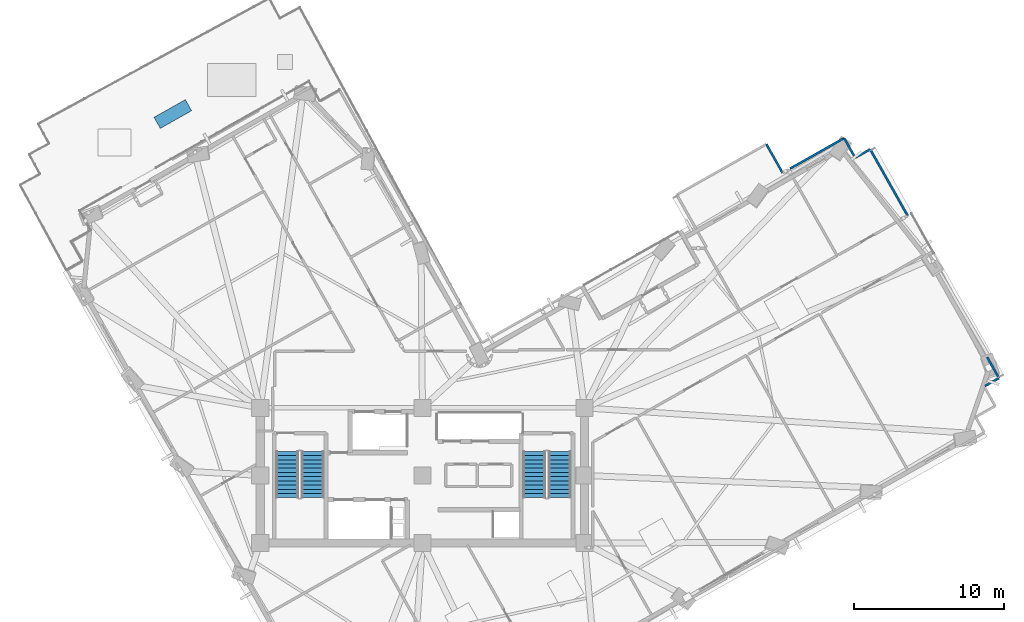
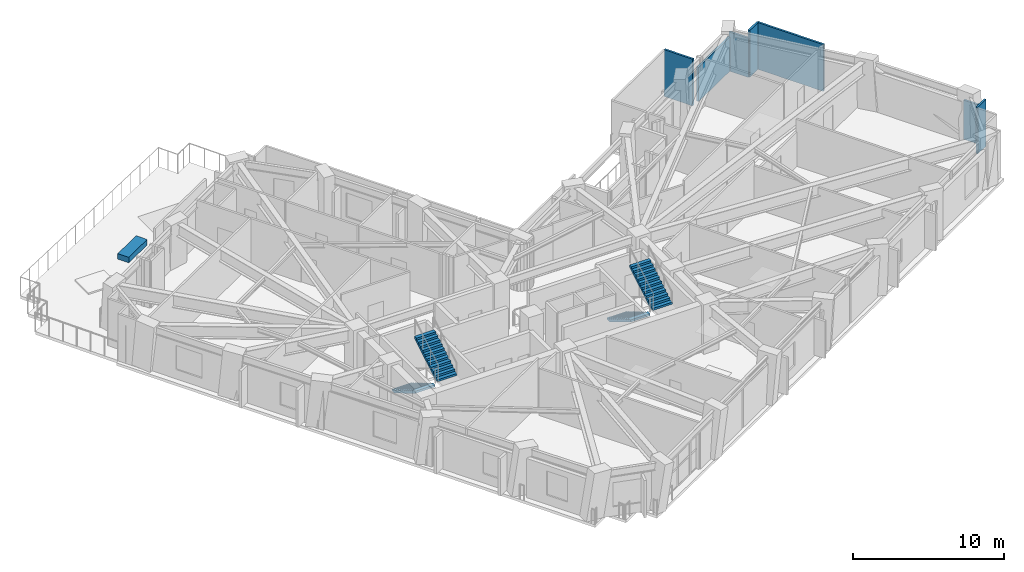
# One storey, part 14 of 18: 7 walls, 4 stair flights, 1 discrete accessory, 2 elements without a shape of their own.
"""IFC4 building model written with IfcOpenShell, lengths in metres."""

from ifc_helpers import new_model, si_unit, direction, frame, frame_2d, origin, origin_2d, place, context, subcontext, project, spatial, polyline, rectangle, outline, extrude, material, layer, layer_set, type_object, element, aggregate, save


model = new_model("IFC4")

# Units and contexts
model_context = context("Model", 3, precision=1e-05, world=origin(), true_north=direction((0.0, 1.0)))
body_context = subcontext(model_context, "Body", "Model", "MODEL_VIEW")
ifc_project = project(units=[si_unit("LENGTHUNIT", "METRE"), si_unit("AREAUNIT", "SQUARE_METRE"), si_unit("VOLUMEUNIT", "CUBIC_METRE"), si_unit("PLANEANGLEUNIT", "RADIAN"), si_unit("MASSUNIT", "GRAM", prefix="KILO")], contexts=[model_context])

# Site, building, storey
site_placement = place(None, origin())
site = spatial("IfcSite", under=ifc_project, at=site_placement, CompositionType="ELEMENT")
building_placement = place(site_placement, origin())
building = spatial("IfcBuilding", under=site, at=building_placement, Name="Gaonmaruhae Medical Tower", CompositionType="ELEMENT")
storey_placement = place(building_placement, frame((0.0, 0.0, 149.800048828125)))
storey = spatial("IfcBuildingStorey", under=building, at=storey_placement, Name="L35", CompositionType="ELEMENT", Elevation=149.800048828125)

# Walls
ifc_material_1 = material(Name="Gypsum board partition", Category="gypsum")
ifc_layer = layer(ifc_material_1, 0.14990234375)
ifc_layer_set = layer_set([ifc_layer], Name="Gypsum board partition")
wall_type = type_object("IfcWallType", Name="PW-150 Rated Clinical Corridor Partition", PredefinedType="PARTITIONING", material=ifc_layer_set)
wall_1_placement = place(storey_placement, frame((62.4140625, 20.180908203125, 0.0), z_axis=(0.0, 0.0, 1.0), x_axis=(0.491627733162, -0.870805473103, 0.0)))
element("IfcWall", 1, at=wall_1_placement, inside=storey, type_object=wall_type, Name="L35 Interior Partition L35-SUP07-31", PredefinedType="PARTITIONING", context=body_context, shape_type="SweptSolid", body=[
    extrude(rectangle(XDim=1.61083984375, YDim=0.14990234375, at=frame_2d((0.805419921875, 0.0))), origin(), (0.0, 0.0, 1.0), 3.1650390625),
])
wall_2_placement = place(storey_placement, frame((63.2060546875, 18.778076171875, 0.0), z_axis=(0.0, 0.0, 1.0), x_axis=(-0.871075980592, -0.491148283144, 0.0)))
element("IfcWall", 2, at=wall_2_placement, inside=storey, type_object=wall_type, Name="L35 Interior Partition L35-SUP07-32", PredefinedType="PARTITIONING", context=body_context, shape_type="SweptSolid", body=[
    extrude(rectangle(XDim=1.0712890625, YDim=0.14990234375, at=frame_2d((0.53564453125, 0.0))), origin(), (0.0, 0.0, 1.0), 3.780029296875),
])
wall_3_placement = place(storey_placement, frame((47.7099609375, 34.3740234375, 0.0), z_axis=(0.0, 0.0, 1.0), x_axis=(0.491588936477, -0.870827375278, 0.0)))
element("IfcWall", 3, at=wall_3_placement, inside=storey, type_object=wall_type, Name="L35 Interior Partition L35-IE03-89", PredefinedType="PARTITIONING", context=body_context, shape_type="SweptSolid", body=[
    extrude(rectangle(XDim=2.19921875, YDim=0.14990234375, at=frame_2d((1.099609375, 0.0))), origin(), (0.0, 0.0, 1.0), 3.780029296875),
])
wall_4_placement = place(storey_placement, frame((53.626953125, 33.466064453125, 0.0), z_axis=(0.0, 0.0, 1.0), x_axis=(0.870682401121, 0.49184566317, 0.0)))
element("IfcWall", 4, at=wall_4_placement, inside=storey, type_object=wall_type, Name="L35 Interior Partition L35-IE04-90", PredefinedType="PARTITIONING", context=body_context, shape_type="SweptSolid", body=[
    extrude(rectangle(XDim=1.140625, YDim=0.14990234375, at=frame_2d((0.5703125, 0.0))), origin(), (0.0, 0.0, 1.0), 3.780029296875),
])
wall_5_placement = place(storey_placement, frame((54.6201171875, 34.027099609375, 0.0), z_axis=(0.0, 0.0, 1.0), x_axis=(0.491586153955, -0.870828946028, 0.0)))
element("IfcWall", 5, at=wall_5_placement, inside=storey, type_object=wall_type, Name="L35 Interior Partition L35-IE04-91", PredefinedType="PARTITIONING", context=body_context, shape_type="SweptSolid", body=[
    extrude(rectangle(XDim=5.089599609375, YDim=0.14990234375, at=frame_2d((2.544921875, 0.0))), origin(), (0.0, 0.0, 1.0), 3.780029296875),
])
wall_6_placement = place(storey_placement, frame((49.283935546875, 32.737060546875, 0.0), z_axis=(0.0, 0.0, 1.0), x_axis=(0.870840597135, 0.491565513824, 0.0)))
element("IfcWall", 6, at=wall_6_placement, inside=storey, type_object=wall_type, Name="L35 Interior Partition L35-IE04-94", PredefinedType="PARTITIONING", context=body_context, shape_type="SweptSolid", body=[
    extrude(rectangle(XDim=4.1396484375, YDim=0.14990234375, at=frame_2d((2.06982421875, 0.0))), origin(), (0.0, 0.0, 1.0), 2.764892578125),
])
wall_7_placement = place(storey_placement, frame((52.888916015625, 34.77197265625, 0.0), z_axis=(0.0, 0.0, 1.0), x_axis=(0.492014351651, -0.870587087987, 0.0)))
element("IfcWall", 7, at=wall_7_placement, inside=storey, type_object=wall_type, Name="L35 Interior Partition L35-IE04-95", PredefinedType="PARTITIONING", context=body_context, shape_type="SweptSolid", body=[
    extrude(rectangle(XDim=1.5, YDim=0.14990234375, at=frame_2d((0.75, 0.0))), origin(), (0.0, 0.0, 1.0), 3.1650390625),
])

# Stair, stair flights
ifc_material_2 = material(Name="Concrete C40/50", Category="concrete")
stair_type = type_object("IfcStairType", Name="ST-T1 Primary Core Escape Dogleg Stair", PredefinedType="TWO_QUARTER_TURN_STAIR", material=ifc_material_2)
stair_1_placement = place(storey_placement, origin())
stair_1 = element("IfcStair", 8, at=stair_1_placement, inside=storey, type_object=stair_type, Name="L35 Protected Escape Stair ST-01", PredefinedType="TWO_QUARTER_TURN_STAIR")
stair_flight_type = type_object("IfcStairFlightType", Name="SF-T1 Primary Core Precast Stair Flight", PredefinedType="STRAIGHT", material=ifc_material_2)
stair_flight_1_placement = place(storey_placement, frame((15.800048828125, 13.89990234375, 0.0), z_axis=(0.0, 0.0, 1.0), x_axis=(0.0, -1.0, 0.0)))
stair_flight_1 = element("IfcStairFlight", 9, at=stair_flight_1_placement, type_object=stair_flight_type, Name="ST-01 flight 1", NumberOfRisers=12, NumberOfTreads=11, PredefinedType="STRAIGHT", RiserHeight=0.166666667, TreadLength=0.28, context=body_context, shape_type="SweptSolid", body=[
    extrude(outline(polyline([(0.0, 0.0), (0.0, 0.166748046875), (0.280029296875, 0.166748046875), (0.280029296875, 0.333251953125), (0.56005859375, 0.333251953125), (0.56005859375, 0.5), (0.840087890625, 0.5), (0.840087890625, 0.666748046875), (1.1201171875, 0.666748046875), (1.1201171875, 0.833251953125), (1.39990234375, 0.833251953125), (1.39990234375, 1.0), (1.679931640625, 1.0), (1.679931640625, 1.166748046875), (1.9599609375, 1.166748046875), (1.9599609375, 1.333251953125), (2.239990234375, 1.333251953125), (2.239990234375, 1.5), (2.52001953125, 1.5), (2.52001953125, 1.666748046875), (2.800048828125, 1.666748046875), (2.800048828125, 1.833251953125), (3.080078125, 1.833251953125), (3.080078125, 2.0), (3.080078125, 1.658935546875), (0.29296875, 0.0), (0.0, 0.0)])), frame((0.0, 0.75, 0.0), z_axis=(0.0, -1.0, 0.0), x_axis=(1.0, 0.0, 0.0)), (0.0, 0.0, 1.0), 1.5),
])
stair_flight_2_placement = place(storey_placement, frame((17.5, 10.820068359375, 2.0), z_axis=(0.0, 0.0, 1.0), x_axis=(0.0, 1.0, 0.0)))
stair_flight_2 = element("IfcStairFlight", 10, at=stair_flight_2_placement, type_object=stair_flight_type, Name="ST-01 flight 2", NumberOfRisers=12, NumberOfTreads=11, PredefinedType="STRAIGHT", RiserHeight=0.166666667, TreadLength=0.28, context=body_context, shape_type="SweptSolid", body=[
    extrude(outline(polyline([(0.0, 0.0), (0.0, 0.166748046875), (0.280029296875, 0.166748046875), (0.280029296875, 0.333251953125), (0.56005859375, 0.333251953125), (0.56005859375, 0.5), (0.840087890625, 0.5), (0.840087890625, 0.666748046875), (1.1201171875, 0.666748046875), (1.1201171875, 0.833251953125), (1.39990234375, 0.833251953125), (1.39990234375, 1.0), (1.679931640625, 1.0), (1.679931640625, 1.166748046875), (1.9599609375, 1.166748046875), (1.9599609375, 1.333251953125), (2.239990234375, 1.333251953125), (2.239990234375, 1.5), (2.52001953125, 1.5), (2.52001953125, 1.666748046875), (2.800048828125, 1.666748046875), (2.800048828125, 1.833251953125), (3.080078125, 1.833251953125), (3.080078125, 2.0), (3.080078125, 1.658935546875), (0.29296875, 0.0), (0.0, 0.0)])), frame((0.0, 0.75, 0.0), z_axis=(0.0, -1.0, 0.0), x_axis=(1.0, 0.0, 0.0)), (0.0, 0.0, 1.0), 1.5),
])
aggregate(stair_1, [stair_flight_1, stair_flight_2])

stair_2_placement = place(storey_placement, origin())
stair_2 = element("IfcStair", 11, at=stair_2_placement, inside=storey, type_object=stair_type, Name="L35 Protected Escape Stair ST-02", PredefinedType="TWO_QUARTER_TURN_STAIR")
stair_flight_3_placement = place(storey_placement, frame((32.25, 13.89990234375, 0.0), z_axis=(0.0, 0.0, 1.0), x_axis=(0.0, -1.0, 0.0)))
stair_flight_3 = element("IfcStairFlight", 12, at=stair_flight_3_placement, type_object=stair_flight_type, Name="ST-02 flight 1", NumberOfRisers=12, NumberOfTreads=11, PredefinedType="STRAIGHT", RiserHeight=0.166666667, TreadLength=0.28, context=body_context, shape_type="SweptSolid", body=[
    extrude(outline(polyline([(0.0, 0.0), (0.0, 0.166748046875), (0.280029296875, 0.166748046875), (0.280029296875, 0.333251953125), (0.56005859375, 0.333251953125), (0.56005859375, 0.5), (0.840087890625, 0.5), (0.840087890625, 0.666748046875), (1.1201171875, 0.666748046875), (1.1201171875, 0.833251953125), (1.39990234375, 0.833251953125), (1.39990234375, 1.0), (1.679931640625, 1.0), (1.679931640625, 1.166748046875), (1.9599609375, 1.166748046875), (1.9599609375, 1.333251953125), (2.239990234375, 1.333251953125), (2.239990234375, 1.5), (2.52001953125, 1.5), (2.52001953125, 1.666748046875), (2.800048828125, 1.666748046875), (2.800048828125, 1.833251953125), (3.080078125, 1.833251953125), (3.080078125, 2.0), (3.080078125, 1.658935546875), (0.29296875, 0.0), (0.0, 0.0)])), frame((0.0, 0.75, 0.0), z_axis=(0.0, -1.0, 0.0), x_axis=(1.0, 0.0, 0.0)), (0.0, 0.0, 1.0), 1.5),
])
stair_flight_4_placement = place(storey_placement, frame((33.949951171875, 10.820068359375, 2.0), z_axis=(0.0, 0.0, 1.0), x_axis=(0.0, 1.0, 0.0)))
stair_flight_4 = element("IfcStairFlight", 13, at=stair_flight_4_placement, type_object=stair_flight_type, Name="ST-02 flight 2", NumberOfRisers=12, NumberOfTreads=11, PredefinedType="STRAIGHT", RiserHeight=0.166666667, TreadLength=0.28, context=body_context, shape_type="SweptSolid", body=[
    extrude(outline(polyline([(0.0, 0.0), (0.0, 0.166748046875), (0.280029296875, 0.166748046875), (0.280029296875, 0.333251953125), (0.56005859375, 0.333251953125), (0.56005859375, 0.5), (0.840087890625, 0.5), (0.840087890625, 0.666748046875), (1.1201171875, 0.666748046875), (1.1201171875, 0.833251953125), (1.39990234375, 0.833251953125), (1.39990234375, 1.0), (1.679931640625, 1.0), (1.679931640625, 1.166748046875), (1.9599609375, 1.166748046875), (1.9599609375, 1.333251953125), (2.239990234375, 1.333251953125), (2.239990234375, 1.5), (2.52001953125, 1.5), (2.52001953125, 1.666748046875), (2.800048828125, 1.666748046875), (2.800048828125, 1.833251953125), (3.080078125, 1.833251953125), (3.080078125, 2.0), (3.080078125, 1.658935546875), (0.29296875, 0.0), (0.0, 0.0)])), frame((0.0, 0.75, 0.0), z_axis=(0.0, -1.0, 0.0), x_axis=(1.0, 0.0, 0.0)), (0.0, 0.0, 1.0), 1.5),
])
aggregate(stair_2, [stair_flight_3, stair_flight_4])

# Discrete accessory
ifc_material_3 = material(Name="Precast concrete C45/55", Category="concrete")
discrete_accessory_type = type_object("IfcDiscreteAccessoryType", Name="PLN-01 Sky Garden Precast Botanical Planter", PredefinedType="USERDEFINED", material=ifc_material_3)
discrete_accessory_placement = place(storey_placement, frame((8.17626953125, 36.372802734375, 0.0), z_axis=(0.0, 0.0, 1.0), x_axis=(0.8707850851, 0.491663844071, 0.0)))
element("IfcDiscreteAccessory", 14, at=discrete_accessory_placement, inside=storey, type_object=discrete_accessory_type, Name="L35 Sky Garden Botanical Planter SLB-L35-SKYG1", ObjectType="PLANTER", PredefinedType="USERDEFINED", context=body_context, shape_type="SweptSolid", body=[
    extrude(rectangle(XDim=2.39990234375, YDim=0.85009765625, at=origin_2d()), origin(), (0.0, 0.0, 1.0), 0.449951171875),
])

save(model, "model.ifc")
